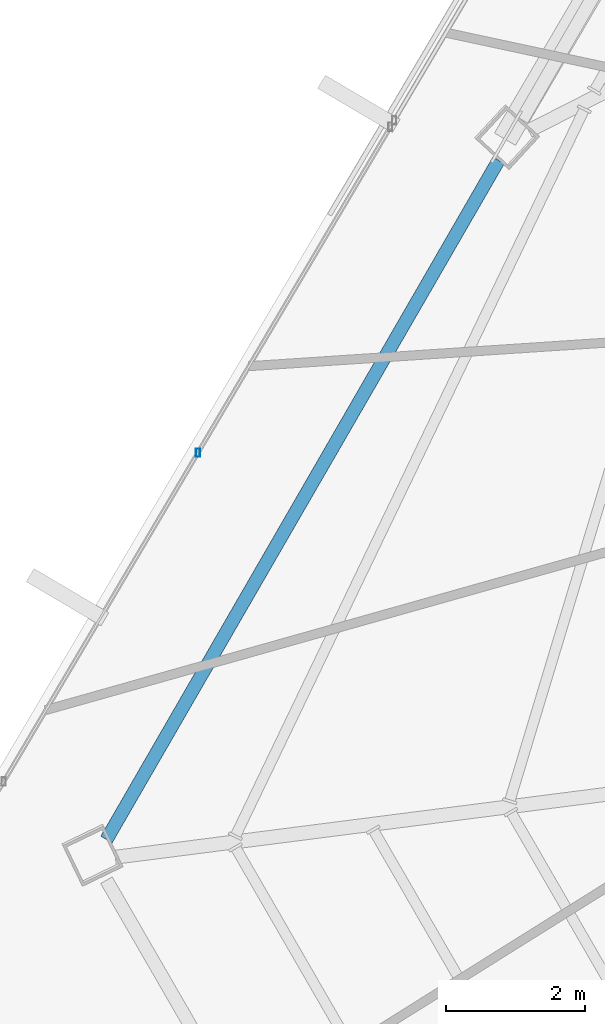
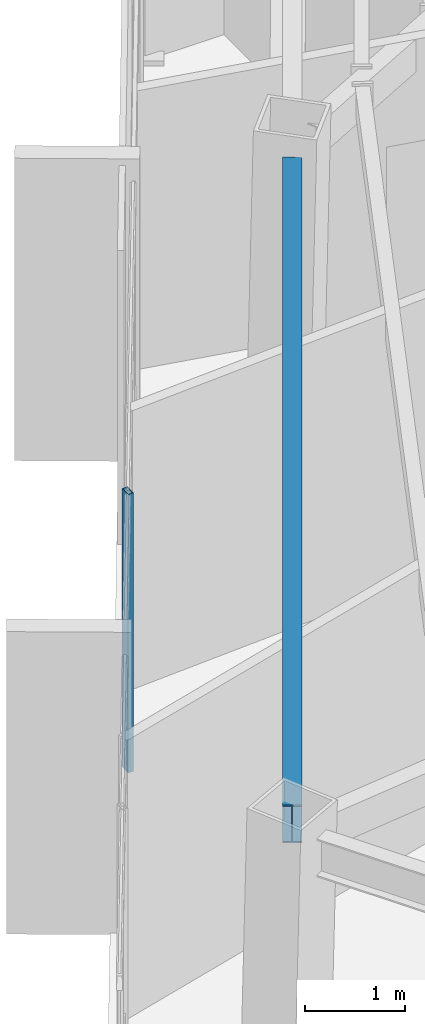
# One storey, part 9 of 48: 1 beam, 1 member, 1 element without a shape of its own.
"""IFC4 building model written with IfcOpenShell, lengths in metres."""

from ifc_helpers import new_model, si_unit, direction, frame, origin, origin_2d, place, context, subcontext, project, spatial, hollow_rectangle, i_section, extrude, source, transform, mapped, material, material_profile, profile_set, type_object, type_shapes, element, aggregate, save


model = new_model("IFC4")

# Units and contexts
model_context = context("Model", 3, precision=1e-05, world=origin(), true_north=direction((0.0, 1.0)))
body_context = subcontext(model_context, "Body", "Model", "MODEL_VIEW")
ifc_project = project(units=[si_unit("LENGTHUNIT", "METRE"), si_unit("AREAUNIT", "SQUARE_METRE"), si_unit("VOLUMEUNIT", "CUBIC_METRE"), si_unit("PLANEANGLEUNIT", "RADIAN"), si_unit("MASSUNIT", "GRAM", prefix="KILO")], contexts=[model_context])

# Site, building, storey
site_placement = place(None, origin())
site = spatial("IfcSite", under=ifc_project, at=site_placement, CompositionType="ELEMENT")
building_placement = place(site_placement, origin())
building = spatial("IfcBuilding", under=site, at=building_placement, Name="Caelisora Broadcast Tower", CompositionType="ELEMENT")
storey_placement = place(building_placement, frame((0.0, 0.0, 270.0)))
storey = spatial("IfcBuildingStorey", under=building, at=storey_placement, Name="L71", CompositionType="ELEMENT", Elevation=270.0)

# Beam
ifc_material_1 = material(Name="Steel Grade 350 (AS/NZS 3679.1)", Category="steel")
ifc_material_profile_1 = material_profile(ifc_material_1, i_section(OverallWidth=0.19091796875, OverallDepth=0.46044921875, WebThickness=0.010009765625, FlangeThickness=0.01611328125, at=origin_2d()), Name="Steel Grade 350 (AS/NZS 3679.1)")
ifc_profile_set_1 = profile_set([ifc_material_profile_1], Name="Steel Grade 350 (AS/NZS 3679.1)")
beam_type = type_object("IfcBeamType", Name="PG06", PredefinedType="BEAM", material=ifc_profile_set_1)
shared_shape_1 = source(origin(), body_context, "Body", "SweptSolid", [
    extrude(i_section(OverallWidth=0.19091796875, OverallDepth=0.46044921875, WebThickness=0.010009765625, FlangeThickness=0.01611328125, at=origin_2d()), origin(), (0.0, 0.0, 1.0), 11.288330078125),
])
type_shapes(beam_type, [shared_shape_1])
beam_placement = place(storey_placement, frame((22.43310546875, 25.68994140625, 3.169921875), z_axis=(-0.500012011807, -0.866018468653, 0.0), x_axis=(0.866018468653, -0.500012011807, 0.0)))
element("IfcBeam", 1, at=beam_placement, inside=storey, type_object=beam_type, Name="L71 beam PG06", PredefinedType="BEAM", context=body_context, shape_type="MappedRepresentation", body=[
    mapped(shared_shape_1, transform((0.0, 0.0, 0.0), scale=1.0)),
])

# Curtain wall, member
ifc_material_2 = material(Name="Unitised Aluminium and Low-E Glass Curtain Wall", Category="glass")
curtain_wall_type = type_object("IfcCurtainWallType", Name="CW-Z5", PredefinedType="NOTDEFINED", material=ifc_material_2)
curtain_wall_placement = place(storey_placement, origin())
curtain_wall = element("IfcCurtainWall", 2, at=curtain_wall_placement, inside=storey, type_object=curtain_wall_type, Name="L71 curtain wall CW-Z5", PredefinedType="NOTDEFINED")
ifc_material_3 = material(Name="Aluminium 6063-T6 Anodised Terracotta Bronze", Category="aluminium")
ifc_material_profile_2 = material_profile(ifc_material_3, hollow_rectangle(XDim=0.06005859375, YDim=0.1201171875, WallThickness=0.0029296875, at=origin_2d()), Name="Aluminium 6063-T6 Anodised Terracotta Bronze")
ifc_profile_set_2 = profile_set([ifc_material_profile_2], Name="Aluminium 6063-T6 Anodised Terracotta Bronze")
member_type = type_object("IfcMemberType", Name="CWM-04", PredefinedType="MULLION", material=ifc_profile_set_2)
shared_shape_2 = source(origin(), body_context, "Body", "SweptSolid", [
    extrude(hollow_rectangle(XDim=0.06005859375, YDim=0.1201171875, WallThickness=0.0029296875, at=origin_2d()), origin(), (0.0, 0.0, 1.0), 3.39990234375),
])
type_shapes(member_type, [shared_shape_2])
member_placement = place(storey_placement, frame((18.106201171875, 21.482177734375, 0.0), z_axis=(0.0, 0.0, 1.0), x_axis=(1.0, 0.0, 0.0)))
member = element("IfcMember", 3, at=member_placement, type_object=member_type, Name="L71-CW-B09 mullion #2", PredefinedType="MULLION", context=body_context, shape_type="MappedRepresentation", body=[
    mapped(shared_shape_2, transform((0.0, 0.0, 0.0), scale=1.0)),
])
aggregate(curtain_wall, [member])

save(model, "model.ifc")
